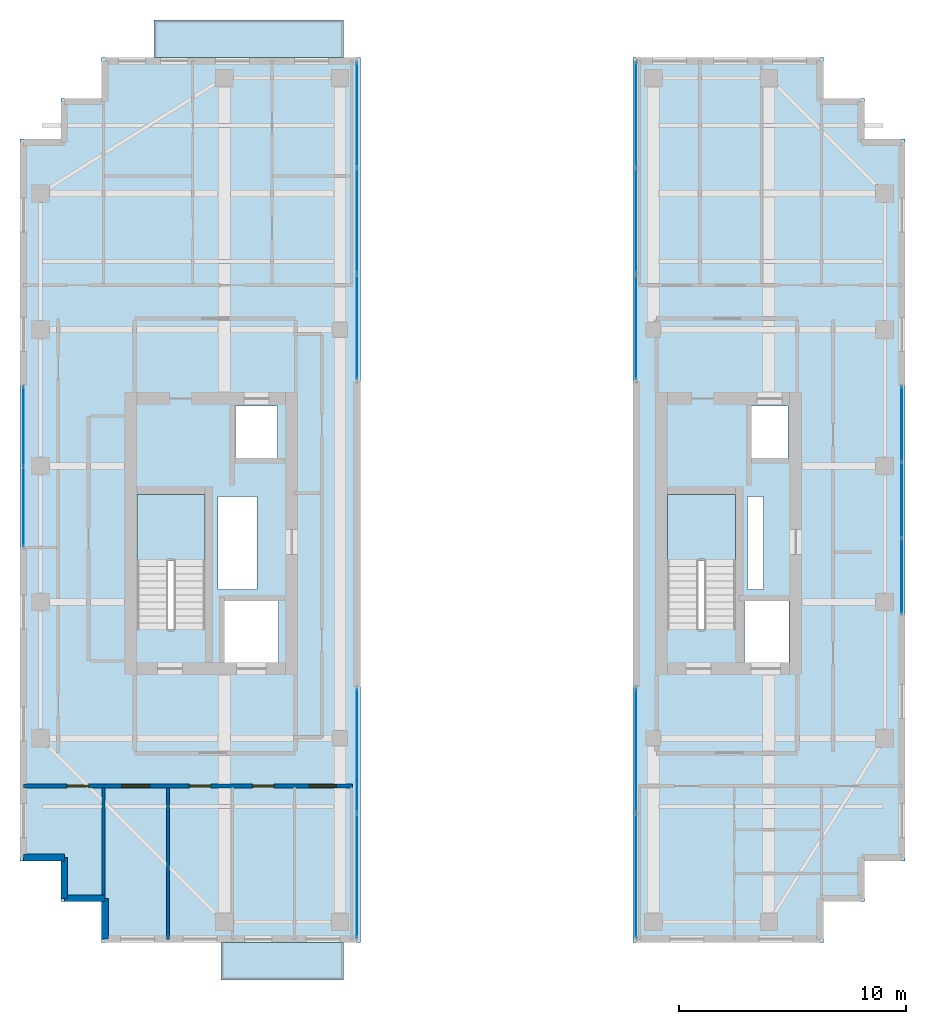
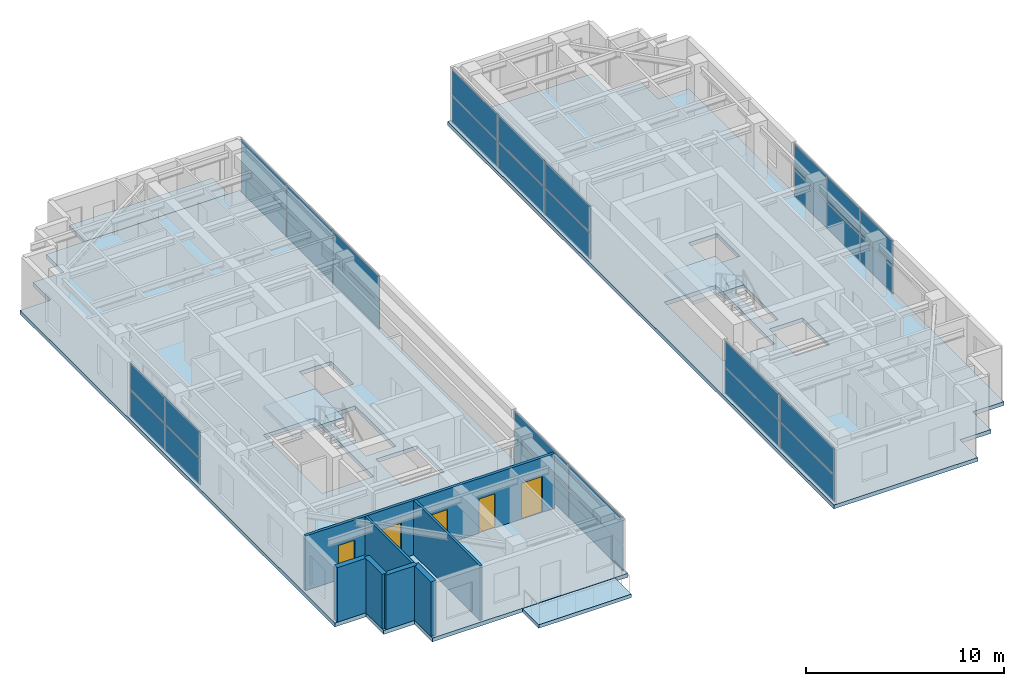
# One storey, part 16 of 22: 30 plates, 7 walls, 6 slabs, 5 doors, 5 openings, 8 elements without a shape of their own.
"""IFC4 building model written with IfcOpenShell, lengths in metres."""

import ifcopenshell
import ifcopenshell.guid

model = None  # the IFC model being written
_history = None  # IfcOwnerHistory: only IFC2X3 demands one
_inside = {}  # id of a spatial element -> (the spatial element, [elements in it])
_under = {}  # id of a project, library or spatial element -> (it, [spatial elements below it])
_declared = {}  # id of a project -> (the project, [libraries it declares])
_typed = {}  # id of a type object -> (the type object, [elements of that type])
_made_of = {}  # id of a material, layer set ... -> (it, [elements and type objects made of it])


def new_model(schema):
    """Start an empty IFC model of exactly this schema.

    Asked for "IFC4X3", IfcOpenShell would pick the latest addendum, in which some entities
    have other attributes; the version numbers below select the first issue.
    IFC2X3 requires an IfcOwnerHistory on every rooted entity: one is made here for all.
    """
    global model, _history
    if schema == "IFC4X3":
        model = ifcopenshell.file(schema_version=(4, 3, 0, 0))
    else:
        model = ifcopenshell.file(schema=schema)
    _inside.clear()
    _under.clear()
    _declared.clear()
    _typed.clear()
    _made_of.clear()
    _history = None
    if model.schema == "IFC2X3":
        org = make("IfcOrganization", Name="unknown")
        user = make(
            "IfcPersonAndOrganization",
            ThePerson=make("IfcPerson", FamilyName="unknown"),
            TheOrganization=org,
        )
        app = make(
            "IfcApplication",
            ApplicationDeveloper=org,
            Version="unknown",
            ApplicationFullName="unknown",
            ApplicationIdentifier="unknown",
        )
        _history = make(
            "IfcOwnerHistory",
            OwningUser=user,
            OwningApplication=app,
            ChangeAction="ADDED",
            CreationDate=0,
        )
    return model


def make(cls, **values):
    """One entity of the class cls with the attributes given. An attribute that is None is left unset."""
    return model.create_entity(
        cls, **{name: value for name, value in values.items() if value is not None}
    )


def rooted(cls, **values):
    """An entity with a GlobalId (a new one), such as an element, a storey or a relation."""
    return make(cls, GlobalId=ifcopenshell.guid.new(), OwnerHistory=_history, **values)


def si_unit(unit_type, name, prefix=None):
    """IfcSIUnit, for example si_unit("LENGTHUNIT", "METRE", prefix="MILLI")."""
    return make("IfcSIUnit", UnitType=unit_type, Prefix=prefix, Name=name)


def assignment(units):
    """IfcUnitAssignment: the units of a project."""
    return None if units is None else make("IfcUnitAssignment", Units=units)


def point(xyz):
    """IfcCartesianPoint."""
    return None if xyz is None else make("IfcCartesianPoint", Coordinates=xyz)


def direction(xyz):
    """IfcDirection."""
    return None if xyz is None else make("IfcDirection", DirectionRatios=xyz)


def frame(location, z_axis=None, x_axis=None):
    """IfcAxis2Placement3D, a coordinate frame: its origin and axes. An axis left out is left unset."""
    return make(
        "IfcAxis2Placement3D",
        Location=point(location),
        Axis=direction(z_axis),
        RefDirection=direction(x_axis),
    )


def frame_2d(location, x_axis=None):
    """IfcAxis2Placement2D, a coordinate frame in the plane: its origin and x axis."""
    return make(
        "IfcAxis2Placement2D", Location=point(location), RefDirection=direction(x_axis)
    )


def origin():
    """The frame at (0, 0, 0) with its axes left unset."""
    return frame((0.0, 0.0, 0.0))


def origin_2d():
    """The frame at (0, 0) in the plane with its x axis left unset."""
    return frame_2d((0.0, 0.0))


def place(relative_to, where):
    """IfcLocalPlacement: puts the frame where relative to a parent placement (None: the world)."""
    return make(
        "IfcLocalPlacement", PlacementRelTo=relative_to, RelativePlacement=where
    )


def context(
    kind, dimensions, precision=None, world=None, true_north=None, identifier=None
):
    """IfcGeometricRepresentationContext, for example the 3D "Model" context."""
    return make(
        "IfcGeometricRepresentationContext",
        ContextIdentifier=identifier,
        ContextType=kind,
        CoordinateSpaceDimension=dimensions,
        Precision=precision,
        WorldCoordinateSystem=world,
        TrueNorth=true_north,
    )


def subcontext(parent, identifier, kind, view, scale=None):
    """IfcGeometricRepresentationSubContext, for example "Body" below "Model"."""
    return make(
        "IfcGeometricRepresentationSubContext",
        ContextIdentifier=identifier,
        ContextType=kind,
        ParentContext=parent,
        TargetScale=scale,
        TargetView=view,
    )


def project(units=None, contexts=None):
    """IfcProject with its units and contexts."""
    return rooted(
        "IfcProject",
        Name="project",
        RepresentationContexts=contexts,
        UnitsInContext=assignment(units),
    )


def spatial(cls, under=None, at=None, **own):
    """A site, building, storey or space (cls), placed at a placement, below another one or the project."""
    s = rooted(cls, ObjectPlacement=at, **own)
    if under is not None:
        _under.setdefault(under.id(), (under, []))[1].append(s)
    return s


def polyline(points):
    """IfcPolyline through the points."""
    return make("IfcPolyline", Points=[point(p) for p in points])


def profile(cls, at=None, kind="AREA", **sizes):
    """A parametric profile (cls). Its sizes go by their IFC names, for example OverallWidth=200.0."""
    return make(cls, ProfileType=kind, Position=at, **sizes)


def rectangle(**sizes):
    """IfcRectangleProfileDef."""
    return profile("IfcRectangleProfileDef", **sizes)


def outline(outer, holes=None, kind="AREA"):
    """IfcArbitraryClosedProfileDef: a profile drawn as a closed curve; with holes, ...WithVoids."""
    if holes is None:
        return make("IfcArbitraryClosedProfileDef", ProfileType=kind, OuterCurve=outer)
    return make(
        "IfcArbitraryProfileDefWithVoids",
        ProfileType=kind,
        OuterCurve=outer,
        InnerCurves=holes,
    )


def extrude(swept, where, along, depth):
    """IfcExtrudedAreaSolid: the profile swept, set in the frame where, extruded along a direction by depth."""
    return make(
        "IfcExtrudedAreaSolid",
        SweptArea=swept,
        Position=where,
        ExtrudedDirection=direction(along),
        Depth=depth,
    )


def shape(context_of_items, identifier, shape_type, items):
    """IfcShapeRepresentation: the items that make up one representation, for example the "Body"."""
    return make(
        "IfcShapeRepresentation",
        ContextOfItems=context_of_items,
        RepresentationIdentifier=identifier,
        RepresentationType=shape_type,
        Items=items,
    )


def source(mapping_origin, context_of_items, identifier, shape_type, items):
    """IfcRepresentationMap: a shape defined once, which mapped items show again and again."""
    return make(
        "IfcRepresentationMap",
        MappingOrigin=mapping_origin,
        MappedRepresentation=shape(context_of_items, identifier, shape_type, items),
    )


def transform(
    local_origin,
    x_axis=None,
    y_axis=None,
    z_axis=None,
    scale=None,
    scale2=None,
    scale3=None,
    uniform=True,
):
    """IfcCartesianTransformationOperator3D, or its non-uniform kind. x_axis, y_axis, z_axis: its Axis1, 2, 3."""
    if uniform:
        return make(
            "IfcCartesianTransformationOperator3D",
            Axis1=direction(x_axis),
            Axis2=direction(y_axis),
            LocalOrigin=point(local_origin),
            Scale=scale,
            Axis3=direction(z_axis),
        )
    return make(
        "IfcCartesianTransformationOperator3DnonUniform",
        Axis1=direction(x_axis),
        Axis2=direction(y_axis),
        LocalOrigin=point(local_origin),
        Scale=scale,
        Axis3=direction(z_axis),
        Scale2=scale2,
        Scale3=scale3,
    )


def mapped(mapping_source, mapping_target):
    """IfcMappedItem: shows the shape of a source again, moved by a transform."""
    return make(
        "IfcMappedItem", MappingSource=mapping_source, MappingTarget=mapping_target
    )


def material(Name=None, Category=None):
    """IfcMaterial."""
    return make("IfcMaterial", Name=Name, Category=Category)


def layer(
    of_material, thickness, ventilated=None, Name=None, Category=None, Priority=None
):
    """IfcMaterialLayer: one layer of a wall or slab, of a material (None: an air gap)."""
    return make(
        "IfcMaterialLayer",
        Material=of_material,
        LayerThickness=thickness,
        IsVentilated=ventilated,
        Name=Name,
        Category=Category,
        Priority=Priority,
    )


def layer_set(layers, Name=None):
    """IfcMaterialLayerSet."""
    return make("IfcMaterialLayerSet", MaterialLayers=layers, LayerSetName=Name)


def made_of(thing, what):
    """Note that an element or type object is made of a material, layer set ...; save() writes the relation."""
    if what is not None:
        _made_of.setdefault(what.id(), (what, []))[1].append(thing)
    return thing


def type_object(cls, material=None, **own):
    """A type object (cls), such as IfcWallType, which elements share."""
    return made_of(rooted(cls, **own), material)


def element(
    cls,
    number,
    at=None,
    inside=None,
    cuts=None,
    type_object=None,
    material=None,
    context=None,
    identifier="Body",
    shape_type=None,
    held_by="IfcProductDefinitionShape",
    body=None,
    shapes=None,
    **own,
):
    """One element of the class cls, such as IfcWall. Its Tag is "e" and its number.

    at: its placement. inside: the storey or other place that contains it. cuts: it is an
    opening in that element (IfcRelVoidsElement). A single representation is given by context,
    identifier, shape_type and body (its items); several are given by shapes. held_by: the class
    of the entity that holds the representations. save() writes the other relations.
    """
    e = rooted(cls, Tag="e%d" % number, ObjectPlacement=at, **own)
    if body is not None:
        shapes = [shape(context, identifier, shape_type, body)]
    if shapes is not None:
        e.Representation = make(held_by, Representations=shapes)
    if inside is not None:
        _inside.setdefault(inside.id(), (inside, []))[1].append(e)
    if cuts is not None:
        rooted(
            "IfcRelVoidsElement", RelatingBuildingElement=cuts, RelatedOpeningElement=e
        )
    if type_object is not None:
        _typed.setdefault(type_object.id(), (type_object, []))[1].append(e)
    return made_of(e, material)


def fill(opening, filler):
    """IfcRelFillsElement: the door or window that sits in an opening."""
    return rooted(
        "IfcRelFillsElement",
        RelatingOpeningElement=opening,
        RelatedBuildingElement=filler,
    )


def aggregate(whole, parts):
    """IfcRelAggregates: a whole, such as a stair, and the parts it consists of."""
    return rooted("IfcRelAggregates", RelatingObject=whole, RelatedObjects=parts)


def save(model, path):
    """Write the relations noted so far, then the file.

    IfcRelAggregates (storeys below a building ...), IfcRelContainedInSpatialStructure (elements
    in a storey), IfcRelDefinesByType, IfcRelAssociatesMaterial and IfcRelDeclares: one each for
    every whole, place, type object, material and project.
    """
    for whole, parts in _under.values():
        aggregate(whole, parts)
    for where, things in _inside.values():
        rooted(
            "IfcRelContainedInSpatialStructure",
            RelatedElements=things,
            RelatingStructure=where,
        )
    for kind, things in _typed.values():
        rooted("IfcRelDefinesByType", RelatedObjects=things, RelatingType=kind)
    for what, things in _made_of.values():
        rooted("IfcRelAssociatesMaterial", RelatedObjects=things, RelatingMaterial=what)
    for by, libraries in _declared.values():
        rooted("IfcRelDeclares", RelatingContext=by, RelatedDefinitions=libraries)
    model.write(path)


model = new_model("IFC4")

# Units and contexts
model_context = context("Model", 3, precision=1e-05, world=origin(), true_north=direction((0.0, 1.0)))
body_context = subcontext(model_context, "Body", "Model", "MODEL_VIEW")
ifc_project = project(units=[si_unit("LENGTHUNIT", "METRE"), si_unit("AREAUNIT", "SQUARE_METRE"), si_unit("VOLUMEUNIT", "CUBIC_METRE"), si_unit("PLANEANGLEUNIT", "RADIAN"), si_unit("MASSUNIT", "GRAM", prefix="KILO")], contexts=[model_context])

# Site, building, storey
site_placement = place(None, origin())
site = spatial("IfcSite", under=ifc_project, at=site_placement, CompositionType="ELEMENT")
building_placement = place(site_placement, origin())
building = spatial("IfcBuilding", under=site, at=building_placement, Name="Khoralis Quay Care Tower", CompositionType="ELEMENT")
storey_placement = place(building_placement, frame((0.0, 0.0, 260.10009765625)))
storey = spatial("IfcBuildingStorey", under=building, at=storey_placement, Name="L68", CompositionType="ELEMENT", Elevation=260.10009765625)

# Slabs
ifc_material_1 = material(Name="Concrete C45/55", Category="concrete")
ifc_layer_1 = layer(ifc_material_1, 0.219970703125)
ifc_layer_set_1 = layer_set([ifc_layer_1], Name="Concrete C45/55")
slab_type_1 = type_object("IfcSlabType", Name="SLB-EXT-BALC-220", PredefinedType="FLOOR", material=ifc_layer_set_1)
slab_1_placement = place(storey_placement, frame((0.0, 0.0, -0.239990234375)))
element("IfcSlab", 1, at=slab_1_placement, inside=storey, type_object=slab_type_1, Name="L68 Senior Loggia Balcony Slab P1E0", PredefinedType="FLOOR", context=body_context, shape_type="SweptSolid", body=[
    extrude(outline(polyline([(11.85009765625, 1.35009765625), (17.25, 1.35009765625), (17.25, 3.0), (11.85009765625, 3.0), (11.85009765625, 1.35009765625)])), origin(), (0.0, 0.0, 1.0), 0.219970703125),
])
slab_2_placement = place(storey_placement, frame((0.0, 0.0, -0.239990234375)))
element("IfcSlab", 2, at=slab_2_placement, inside=storey, type_object=slab_type_1, Name="L68 Senior Loggia Balcony Slab P1E2", PredefinedType="FLOOR", context=body_context, shape_type="SweptSolid", body=[
    extrude(outline(polyline([(8.89990234375, 42.0), (17.25, 42.0), (17.25, 43.64990234375), (8.89990234375, 43.64990234375), (8.89990234375, 42.0)])), origin(), (0.0, 0.0, 1.0), 0.219970703125),
])

# Stair, slab
ifc_material_2 = material(Name="Precast concrete C45/55", Category="concrete")
stair_type = type_object("IfcStairType", Name="ST-TWR-DOGLEG-1400", PredefinedType="HALF_TURN_STAIR", material=ifc_material_2)
stair_1_placement = place(storey_placement, origin())
stair_1 = element("IfcStair", 3, at=stair_1_placement, inside=storey, type_object=stair_type, Name="L68 West Core Exit Stair ST-T1", PredefinedType="HALF_TURN_STAIR")
ifc_layer_2 = layer(ifc_material_2, 0.199951171875)
ifc_layer_set_2 = layer_set([ifc_layer_2], Name="Precast concrete C45/55")
slab_type_2 = type_object("IfcSlabType", Name="SLB-LANDING-200", PredefinedType="LANDING", material=ifc_layer_set_2)
slab_3_placement = place(storey_placement, frame((0.0, 0.0, 1.599853515625)))
slab_3 = element("IfcSlab", 4, at=slab_3_placement, type_object=slab_type_2, Name="ST-T1 landing 1", PredefinedType="LANDING", context=body_context, shape_type="SweptSolid", body=[
    extrude(outline(polyline([(11.14990234375, 19.840087890625), (11.14990234375, 22.75), (8.14990234375, 22.75), (8.14990234375, 19.840087890625), (11.14990234375, 19.840087890625)])), origin(), (0.0, 0.0, 1.0), 0.199951171875),
])
aggregate(stair_1, [slab_3])

stair_2_placement = place(storey_placement, origin())
stair_2 = element("IfcStair", 5, at=stair_2_placement, inside=storey, type_object=stair_type, Name="L68 East Core Exit Stair ST-T2", PredefinedType="HALF_TURN_STAIR")
slab_4_placement = place(storey_placement, frame((0.0, 0.0, 1.599853515625)))
slab_4 = element("IfcSlab", 6, at=slab_4_placement, type_object=slab_type_2, Name="ST-T2 landing 1", PredefinedType="LANDING", context=body_context, shape_type="SweptSolid", body=[
    extrude(outline(polyline([(34.52001953125, 19.840087890625), (34.52001953125, 22.75), (31.52001953125, 22.75), (31.52001953125, 19.840087890625), (34.52001953125, 19.840087890625)])), origin(), (0.0, 0.0, 1.0), 0.199951171875),
])
aggregate(stair_2, [slab_4])

# Slabs
ifc_material_3 = material(Name="Concrete C40/50", Category="concrete")
ifc_layer_3 = layer(ifc_material_3, 0.239990234375)
ifc_layer_set_3 = layer_set([ifc_layer_3], Name="Concrete C40/50")
slab_type_3 = type_object("IfcSlabType", Name="SLB-TWR-240", PredefinedType="FLOOR", material=ifc_layer_set_3)
slab_5_placement = place(storey_placement, frame((0.0, 0.0, -0.239990234375)))
element("IfcSlab", 7, at=slab_5_placement, inside=storey, type_object=slab_type_3, Name="Tower Wing 1 Slab L68", PredefinedType="FLOOR", context=body_context, shape_type="SweptSolid", body=[
    extrude(outline(polyline([(6.60009765625, 3.0), (18.0, 3.0), (18.0, 42.0), (6.60009765625, 42.0), (6.60009765625, 40.199951171875), (4.800048828125, 40.199951171875), (4.800048828125, 38.39990234375), (3.0, 38.39990234375), (3.0, 6.60009765625), (4.800048828125, 6.60009765625), (4.800048828125, 4.800048828125), (6.60009765625, 4.800048828125), (6.60009765625, 3.0)]), holes=[polyline([(11.14990234375, 16.800048828125), (11.14990234375, 22.75), (8.14990234375, 22.75), (8.14990234375, 16.800048828125), (11.14990234375, 16.800048828125)]), polyline([(12.0, 15.35009765625), (14.39990234375, 15.35009765625), (14.39990234375, 18.050048828125), (12.0, 18.050048828125), (12.0, 15.35009765625)]), polyline([(12.5, 24.35009765625), (14.35009765625, 24.35009765625), (14.35009765625, 26.64990234375), (12.5, 26.64990234375), (12.5, 24.35009765625)]), polyline([(11.719970703125, 18.550048828125), (13.449951171875, 18.550048828125), (13.449951171875, 22.64990234375), (11.719970703125, 22.64990234375), (11.719970703125, 18.550048828125)])]), origin(), (0.0, 0.0, 1.0), 0.239990234375),
])
slab_6_placement = place(storey_placement, frame((0.0, 0.0, -0.239990234375)))
element("IfcSlab", 8, at=slab_6_placement, inside=storey, type_object=slab_type_3, Name="Tower Wing 2 Slab L68", PredefinedType="FLOOR", context=body_context, shape_type="SweptSolid", body=[
    extrude(outline(polyline([(30.0, 3.0), (38.39990234375, 3.0), (38.39990234375, 4.800048828125), (40.199951171875, 4.800048828125), (40.199951171875, 6.60009765625), (42.0, 6.60009765625), (42.0, 38.39990234375), (40.199951171875, 38.39990234375), (40.199951171875, 40.199951171875), (38.39990234375, 40.199951171875), (38.39990234375, 42.0), (30.0, 42.0), (30.0, 3.0)]), holes=[polyline([(34.52001953125, 16.800048828125), (34.52001953125, 22.75), (31.52001953125, 22.75), (31.52001953125, 16.800048828125), (34.52001953125, 16.800048828125)]), polyline([(34.919921875, 15.35009765625), (36.8798828125, 15.35009765625), (36.8798828125, 18.050048828125), (34.919921875, 18.050048828125), (34.919921875, 15.35009765625)]), polyline([(35.199951171875, 24.35009765625), (36.85009765625, 24.35009765625), (36.85009765625, 26.64990234375), (35.199951171875, 26.64990234375), (35.199951171875, 24.35009765625)]), polyline([(35.050048828125, 18.550048828125), (35.75, 18.550048828125), (35.75, 22.64990234375), (35.050048828125, 22.64990234375), (35.050048828125, 18.550048828125)])]), origin(), (0.0, 0.0, 1.0), 0.239990234375),
])

# Curtain wall, plates
ifc_material_4 = material(Name="Pale anodised aluminium", Category="aluminium")
ifc_layer_4 = layer(ifc_material_4, 0.18994140625)
ifc_layer_set_4 = layer_set([ifc_layer_4], Name="Pale anodised aluminium")
curtain_wall_type_1 = type_object("IfcCurtainWallType", Name="CW-SYS-PORTAL", PredefinedType="NOTDEFINED", material=ifc_layer_set_4)
curtain_wall_1_placement = place(storey_placement, origin())
curtain_wall_1 = element("IfcCurtainWall", 9, at=curtain_wall_1_placement, inside=storey, type_object=curtain_wall_type_1, Name="L68 Unitised Curtain Wall CW-VP-L68-P1-S", PredefinedType="NOTDEFINED")
ifc_material_5 = material(Name="Low-E solar-control double glazing", Category="glass")
ifc_layer_5 = layer(ifc_material_5, 0.031982421875)
ifc_layer_set_5 = layer_set([ifc_layer_5], Name="Low-E solar-control double glazing")
plate_type = type_object("IfcPlateType", Name="PNL-VIS-32", PredefinedType="CURTAIN_PANEL", material=ifc_layer_set_5)
shared_shape_1 = source(origin(), body_context, "Body", "SweptSolid", [
    extrude(rectangle(XDim=5.4599609375, YDim=0.028076171875, at=origin_2d()), origin(), (0.0, 0.0, 1.0), 1.590087890625),
])
plate_1_placement = place(storey_placement, frame((17.85009765625, 5.93994140625, 0.06005859375), z_axis=(0.0, 0.0, 1.0), x_axis=(0.0, 1.0, 0.0)))
plate_1 = element("IfcPlate", 10, at=plate_1_placement, type_object=plate_type, Name="CW4 panel 1.1", PredefinedType="CURTAIN_PANEL", context=body_context, shape_type="MappedRepresentation", body=[
    mapped(shared_shape_1, transform((0.0, 0.0, 0.0), scale=1.0)),
])
plate_2_placement = place(storey_placement, frame((17.85009765625, 5.93994140625, 1.7099609375), z_axis=(0.0, 0.0, 1.0), x_axis=(0.0, 1.0, 0.0)))
plate_2 = element("IfcPlate", 11, at=plate_2_placement, type_object=plate_type, Name="CW4 panel 1.2", PredefinedType="CURTAIN_PANEL", context=body_context, shape_type="MappedRepresentation", body=[
    mapped(shared_shape_1, transform((0.0, 0.0, 0.0), scale=1.0)),
])
plate_3_placement = place(storey_placement, frame((17.85009765625, 11.4599609375, 0.06005859375), z_axis=(0.0, 0.0, 1.0), x_axis=(0.0, 1.0, 0.0)))
plate_3 = element("IfcPlate", 12, at=plate_3_placement, type_object=plate_type, Name="CW4 panel 2.1", PredefinedType="CURTAIN_PANEL", context=body_context, shape_type="MappedRepresentation", body=[
    mapped(shared_shape_1, transform((0.0, 0.0, 0.0), scale=1.0)),
])
plate_4_placement = place(storey_placement, frame((17.85009765625, 11.4599609375, 1.7099609375), z_axis=(0.0, 0.0, 1.0), x_axis=(0.0, 1.0, 0.0)))
plate_4 = element("IfcPlate", 13, at=plate_4_placement, type_object=plate_type, Name="CW4 panel 2.2", PredefinedType="CURTAIN_PANEL", context=body_context, shape_type="MappedRepresentation", body=[
    mapped(shared_shape_1, transform((0.0, 0.0, 0.0), scale=1.0)),
])
aggregate(curtain_wall_1, [plate_1, plate_2, plate_3, plate_4])

curtain_wall_2_placement = place(storey_placement, origin())
curtain_wall_2 = element("IfcCurtainWall", 14, at=curtain_wall_2_placement, inside=storey, type_object=curtain_wall_type_1, Name="L68 Unitised Curtain Wall CW-VP-L68-P2-S", PredefinedType="NOTDEFINED")
plate_5_placement = place(storey_placement, frame((30.14990234375, 5.93994140625, 0.06005859375), z_axis=(0.0, 0.0, 1.0), x_axis=(0.0, 1.0, 0.0)))
plate_5 = element("IfcPlate", 15, at=plate_5_placement, type_object=plate_type, Name="CW4 panel 1.1", PredefinedType="CURTAIN_PANEL", context=body_context, shape_type="MappedRepresentation", body=[
    mapped(shared_shape_1, transform((0.0, 0.0, 0.0), scale=1.0)),
])
plate_6_placement = place(storey_placement, frame((30.14990234375, 5.93994140625, 1.7099609375), z_axis=(0.0, 0.0, 1.0), x_axis=(0.0, 1.0, 0.0)))
plate_6 = element("IfcPlate", 16, at=plate_6_placement, type_object=plate_type, Name="CW4 panel 1.2", PredefinedType="CURTAIN_PANEL", context=body_context, shape_type="MappedRepresentation", body=[
    mapped(shared_shape_1, transform((0.0, 0.0, 0.0), scale=1.0)),
])
plate_7_placement = place(storey_placement, frame((30.14990234375, 11.4599609375, 0.06005859375), z_axis=(0.0, 0.0, 1.0), x_axis=(0.0, 1.0, 0.0)))
plate_7 = element("IfcPlate", 17, at=plate_7_placement, type_object=plate_type, Name="CW4 panel 2.1", PredefinedType="CURTAIN_PANEL", context=body_context, shape_type="MappedRepresentation", body=[
    mapped(shared_shape_1, transform((0.0, 0.0, 0.0), scale=1.0)),
])
plate_8_placement = place(storey_placement, frame((30.14990234375, 11.4599609375, 1.7099609375), z_axis=(0.0, 0.0, 1.0), x_axis=(0.0, 1.0, 0.0)))
plate_8 = element("IfcPlate", 18, at=plate_8_placement, type_object=plate_type, Name="CW4 panel 2.2", PredefinedType="CURTAIN_PANEL", context=body_context, shape_type="MappedRepresentation", body=[
    mapped(shared_shape_1, transform((0.0, 0.0, 0.0), scale=1.0)),
])
aggregate(curtain_wall_2, [plate_5, plate_6, plate_7, plate_8])

curtain_wall_3_placement = place(storey_placement, origin())
curtain_wall_3 = element("IfcCurtainWall", 19, at=curtain_wall_3_placement, inside=storey, type_object=curtain_wall_type_1, Name="L68 Unitised Curtain Wall CW-VP-L68-P1-N", PredefinedType="NOTDEFINED")
shared_shape_2 = source(origin(), body_context, "Body", "SweptSolid", [
    extrude(rectangle(XDim=4.610107421875, YDim=0.028076171875, at=origin_2d()), origin(), (0.0, 0.0, 1.0), 1.590087890625),
])
plate_9_placement = place(storey_placement, frame((17.85009765625, 30.114990234375, 0.06005859375), z_axis=(0.0, 0.0, 1.0), x_axis=(0.0, 1.0, 0.0)))
plate_9 = element("IfcPlate", 20, at=plate_9_placement, type_object=plate_type, Name="CW4 panel 1.1", PredefinedType="CURTAIN_PANEL", context=body_context, shape_type="MappedRepresentation", body=[
    mapped(shared_shape_2, transform((0.0, 0.0, 0.0), scale=1.0)),
])
plate_10_placement = place(storey_placement, frame((17.85009765625, 30.114990234375, 1.7099609375), z_axis=(0.0, 0.0, 1.0), x_axis=(0.0, 1.0, 0.0)))
plate_10 = element("IfcPlate", 21, at=plate_10_placement, type_object=plate_type, Name="CW4 panel 1.2", PredefinedType="CURTAIN_PANEL", context=body_context, shape_type="MappedRepresentation", body=[
    mapped(shared_shape_2, transform((0.0, 0.0, 0.0), scale=1.0)),
])
plate_11_placement = place(storey_placement, frame((17.85009765625, 39.485107421875, 0.06005859375), z_axis=(0.0, 0.0, 1.0), x_axis=(0.0, 1.0, 0.0)))
plate_11 = element("IfcPlate", 22, at=plate_11_placement, type_object=plate_type, Name="CW4 panel 3.1", PredefinedType="CURTAIN_PANEL", context=body_context, shape_type="MappedRepresentation", body=[
    mapped(shared_shape_2, transform((0.0, 0.0, 0.0), scale=1.0)),
])
plate_12_placement = place(storey_placement, frame((17.85009765625, 39.485107421875, 1.7099609375), z_axis=(0.0, 0.0, 1.0), x_axis=(0.0, 1.0, 0.0)))
plate_12 = element("IfcPlate", 23, at=plate_12_placement, type_object=plate_type, Name="CW4 panel 3.2", PredefinedType="CURTAIN_PANEL", context=body_context, shape_type="MappedRepresentation", body=[
    mapped(shared_shape_2, transform((0.0, 0.0, 0.0), scale=1.0)),
])

curtain_wall_4_placement = place(storey_placement, origin())
curtain_wall_4 = element("IfcCurtainWall", 24, at=curtain_wall_4_placement, inside=storey, type_object=curtain_wall_type_1, Name="L68 Unitised Curtain Wall CW-VP-L68-P2-N", PredefinedType="NOTDEFINED")
plate_13_placement = place(storey_placement, frame((30.14990234375, 30.114990234375, 0.06005859375), z_axis=(0.0, 0.0, 1.0), x_axis=(0.0, 1.0, 0.0)))
plate_13 = element("IfcPlate", 25, at=plate_13_placement, type_object=plate_type, Name="CW4 panel 1.1", PredefinedType="CURTAIN_PANEL", context=body_context, shape_type="MappedRepresentation", body=[
    mapped(shared_shape_2, transform((0.0, 0.0, 0.0), scale=1.0)),
])
plate_14_placement = place(storey_placement, frame((30.14990234375, 30.114990234375, 1.7099609375), z_axis=(0.0, 0.0, 1.0), x_axis=(0.0, 1.0, 0.0)))
plate_14 = element("IfcPlate", 26, at=plate_14_placement, type_object=plate_type, Name="CW4 panel 1.2", PredefinedType="CURTAIN_PANEL", context=body_context, shape_type="MappedRepresentation", body=[
    mapped(shared_shape_2, transform((0.0, 0.0, 0.0), scale=1.0)),
])
plate_15_placement = place(storey_placement, frame((30.14990234375, 39.485107421875, 0.06005859375), z_axis=(0.0, 0.0, 1.0), x_axis=(0.0, 1.0, 0.0)))
plate_15 = element("IfcPlate", 27, at=plate_15_placement, type_object=plate_type, Name="CW4 panel 3.1", PredefinedType="CURTAIN_PANEL", context=body_context, shape_type="MappedRepresentation", body=[
    mapped(shared_shape_2, transform((0.0, 0.0, 0.0), scale=1.0)),
])
plate_16_placement = place(storey_placement, frame((30.14990234375, 39.485107421875, 1.7099609375), z_axis=(0.0, 0.0, 1.0), x_axis=(0.0, 1.0, 0.0)))
plate_16 = element("IfcPlate", 28, at=plate_16_placement, type_object=plate_type, Name="CW4 panel 3.2", PredefinedType="CURTAIN_PANEL", context=body_context, shape_type="MappedRepresentation", body=[
    mapped(shared_shape_2, transform((0.0, 0.0, 0.0), scale=1.0)),
])

# Plate
shared_shape_3 = source(origin(), body_context, "Body", "SweptSolid", [
    extrude(rectangle(XDim=4.639892578125, YDim=0.028076171875, at=origin_2d()), origin(), (0.0, 0.0, 1.0), 1.590087890625),
])
plate_17_placement = place(storey_placement, frame((17.85009765625, 34.800048828125, 0.06005859375), z_axis=(0.0, 0.0, 1.0), x_axis=(0.0, 1.0, 0.0)))
plate_17 = element("IfcPlate", 29, at=plate_17_placement, type_object=plate_type, Name="CW4 panel 2.1", PredefinedType="CURTAIN_PANEL", context=body_context, shape_type="MappedRepresentation", body=[
    mapped(shared_shape_3, transform((0.0, 0.0, 0.0), scale=1.0)),
])

plate_18_placement = place(storey_placement, frame((17.85009765625, 34.800048828125, 1.7099609375), z_axis=(0.0, 0.0, 1.0), x_axis=(0.0, 1.0, 0.0)))
plate_18 = element("IfcPlate", 30, at=plate_18_placement, type_object=plate_type, Name="CW4 panel 2.2", PredefinedType="CURTAIN_PANEL", context=body_context, shape_type="MappedRepresentation", body=[
    mapped(shared_shape_3, transform((0.0, 0.0, 0.0), scale=1.0)),
])

aggregate(curtain_wall_3, [plate_9, plate_10, plate_17, plate_18, plate_11, plate_12])

plate_19_placement = place(storey_placement, frame((30.14990234375, 34.800048828125, 0.06005859375), z_axis=(0.0, 0.0, 1.0), x_axis=(0.0, 1.0, 0.0)))
plate_19 = element("IfcPlate", 31, at=plate_19_placement, type_object=plate_type, Name="CW4 panel 2.1", PredefinedType="CURTAIN_PANEL", context=body_context, shape_type="MappedRepresentation", body=[
    mapped(shared_shape_3, transform((0.0, 0.0, 0.0), scale=1.0)),
])

plate_20_placement = place(storey_placement, frame((30.14990234375, 34.800048828125, 1.7099609375), z_axis=(0.0, 0.0, 1.0), x_axis=(0.0, 1.0, 0.0)))
plate_20 = element("IfcPlate", 32, at=plate_20_placement, type_object=plate_type, Name="CW4 panel 2.2", PredefinedType="CURTAIN_PANEL", context=body_context, shape_type="MappedRepresentation", body=[
    mapped(shared_shape_3, transform((0.0, 0.0, 0.0), scale=1.0)),
])

aggregate(curtain_wall_4, [plate_13, plate_14, plate_19, plate_20, plate_15, plate_16])

# Curtain wall, plates
ifc_layer_6 = layer(ifc_material_4, 0.159912109375)
ifc_layer_set_6 = layer_set([ifc_layer_6], Name="Pale anodised aluminium")
curtain_wall_type_2 = type_object("IfcCurtainWallType", Name="CW-SYS-Z3", PredefinedType="NOTDEFINED", material=ifc_layer_set_6)
curtain_wall_5_placement = place(storey_placement, origin())
curtain_wall_5 = element("IfcCurtainWall", 33, at=curtain_wall_5_placement, inside=storey, type_object=curtain_wall_type_2, Name="L68 Unitised Curtain Wall CW-L68-P2-E5", PredefinedType="NOTDEFINED")
shared_shape_4 = source(origin(), body_context, "Body", "SweptSolid", [
    extrude(rectangle(XDim=3.27001953125, YDim=0.028076171875, at=origin_2d()), origin(), (0.0, 0.0, 1.0), 1.590087890625),
])
plate_21_placement = place(storey_placement, frame((41.85009765625, 19.155029296875, 0.06005859375), z_axis=(0.0, 0.0, 1.0), x_axis=(0.0, 1.0, 0.0)))
plate_21 = element("IfcPlate", 34, at=plate_21_placement, type_object=plate_type, Name="CW3 panel 1.1", PredefinedType="CURTAIN_PANEL", context=body_context, shape_type="MappedRepresentation", body=[
    mapped(shared_shape_4, transform((0.0, 0.0, 0.0), scale=1.0)),
])
plate_22_placement = place(storey_placement, frame((41.85009765625, 19.155029296875, 1.7099609375), z_axis=(0.0, 0.0, 1.0), x_axis=(0.0, 1.0, 0.0)))
plate_22 = element("IfcPlate", 35, at=plate_22_placement, type_object=plate_type, Name="CW3 panel 1.2", PredefinedType="CURTAIN_PANEL", context=body_context, shape_type="MappedRepresentation", body=[
    mapped(shared_shape_4, transform((0.0, 0.0, 0.0), scale=1.0)),
])
plate_23_placement = place(storey_placement, frame((41.85009765625, 25.844970703125, 0.06005859375), z_axis=(0.0, 0.0, 1.0), x_axis=(0.0, 1.0, 0.0)))
plate_23 = element("IfcPlate", 36, at=plate_23_placement, type_object=plate_type, Name="CW3 panel 3.1", PredefinedType="CURTAIN_PANEL", context=body_context, shape_type="MappedRepresentation", body=[
    mapped(shared_shape_4, transform((0.0, 0.0, 0.0), scale=1.0)),
])
plate_24_placement = place(storey_placement, frame((41.85009765625, 25.844970703125, 1.7099609375), z_axis=(0.0, 0.0, 1.0), x_axis=(0.0, 1.0, 0.0)))
plate_24 = element("IfcPlate", 37, at=plate_24_placement, type_object=plate_type, Name="CW3 panel 3.2", PredefinedType="CURTAIN_PANEL", context=body_context, shape_type="MappedRepresentation", body=[
    mapped(shared_shape_4, transform((0.0, 0.0, 0.0), scale=1.0)),
])
shared_shape_5 = source(origin(), body_context, "Body", "SweptSolid", [
    extrude(rectangle(XDim=3.300048828125, YDim=0.028076171875, at=origin_2d()), origin(), (0.0, 0.0, 1.0), 1.590087890625),
])
plate_25_placement = place(storey_placement, frame((41.85009765625, 22.5, 0.06005859375), z_axis=(0.0, 0.0, 1.0), x_axis=(0.0, 1.0, 0.0)))
plate_25 = element("IfcPlate", 38, at=plate_25_placement, type_object=plate_type, Name="CW3 panel 2.1", PredefinedType="CURTAIN_PANEL", context=body_context, shape_type="MappedRepresentation", body=[
    mapped(shared_shape_5, transform((0.0, 0.0, 0.0), scale=1.0)),
])
plate_26_placement = place(storey_placement, frame((41.85009765625, 22.5, 1.7099609375), z_axis=(0.0, 0.0, 1.0), x_axis=(0.0, 1.0, 0.0)))
plate_26 = element("IfcPlate", 39, at=plate_26_placement, type_object=plate_type, Name="CW3 panel 2.2", PredefinedType="CURTAIN_PANEL", context=body_context, shape_type="MappedRepresentation", body=[
    mapped(shared_shape_5, transform((0.0, 0.0, 0.0), scale=1.0)),
])
aggregate(curtain_wall_5, [plate_21, plate_22, plate_25, plate_26, plate_23, plate_24])

curtain_wall_6_placement = place(storey_placement, origin())
curtain_wall_6 = element("IfcCurtainWall", 40, at=curtain_wall_6_placement, inside=storey, type_object=curtain_wall_type_2, Name="L68 Unitised Curtain Wall CW-L68-P1-E7", PredefinedType="NOTDEFINED")
shared_shape_6 = source(origin(), body_context, "Body", "SweptSolid", [
    extrude(rectangle(XDim=3.47998046875, YDim=0.028076171875, at=origin_2d()), origin(), (0.0, 0.0, 1.0), 1.590087890625),
])
plate_27_placement = place(storey_placement, frame((3.14990234375, 25.739990234375, 0.06005859375), z_axis=(0.0, 0.0, 1.0), x_axis=(0.0, -1.0, 0.0)))
plate_27 = element("IfcPlate", 41, at=plate_27_placement, type_object=plate_type, Name="CW3 panel 1.1", PredefinedType="CURTAIN_PANEL", context=body_context, shape_type="MappedRepresentation", body=[
    mapped(shared_shape_6, transform((0.0, 0.0, 0.0), scale=1.0)),
])
plate_28_placement = place(storey_placement, frame((3.14990234375, 25.739990234375, 1.7099609375), z_axis=(0.0, 0.0, 1.0), x_axis=(0.0, -1.0, 0.0)))
plate_28 = element("IfcPlate", 42, at=plate_28_placement, type_object=plate_type, Name="CW3 panel 1.2", PredefinedType="CURTAIN_PANEL", context=body_context, shape_type="MappedRepresentation", body=[
    mapped(shared_shape_6, transform((0.0, 0.0, 0.0), scale=1.0)),
])
plate_29_placement = place(storey_placement, frame((3.14990234375, 22.199951171875, 0.06005859375), z_axis=(0.0, 0.0, 1.0), x_axis=(0.0, -1.0, 0.0)))
plate_29 = element("IfcPlate", 43, at=plate_29_placement, type_object=plate_type, Name="CW3 panel 2.1", PredefinedType="CURTAIN_PANEL", context=body_context, shape_type="MappedRepresentation", body=[
    mapped(shared_shape_6, transform((0.0, 0.0, 0.0), scale=1.0)),
])
plate_30_placement = place(storey_placement, frame((3.14990234375, 22.199951171875, 1.7099609375), z_axis=(0.0, 0.0, 1.0), x_axis=(0.0, -1.0, 0.0)))
plate_30 = element("IfcPlate", 44, at=plate_30_placement, type_object=plate_type, Name="CW3 panel 2.2", PredefinedType="CURTAIN_PANEL", context=body_context, shape_type="MappedRepresentation", body=[
    mapped(shared_shape_6, transform((0.0, 0.0, 0.0), scale=1.0)),
])
aggregate(curtain_wall_6, [plate_27, plate_28, plate_29, plate_30])

# Wall, openings, doors
ifc_material_6 = material(Name="Gypsum plasterboard on acoustic metal stud")
ifc_layer_7 = layer(ifc_material_6, 0.1650390625)
ifc_layer_set_7 = layer_set([ifc_layer_7], Name="Gypsum plasterboard on acoustic metal stud")
wall_type_1 = type_object("IfcWallType", Name="WL-CORR-165", PredefinedType="PARTITIONING", material=ifc_layer_set_7)
wall_1_placement = place(storey_placement, frame((3.14501953125, 9.89990234375, 0.0), z_axis=(0.0, 0.0, 1.0), x_axis=(1.0, 0.0, 0.0)))
wall_1 = element("IfcWall", 45, at=wall_1_placement, inside=storey, type_object=wall_type_1, Name="L68 West Wing South Corridor Wall", PredefinedType="PARTITIONING", context=body_context, shape_type="SweptSolid", body=[
    extrude(rectangle(XDim=14.5048828125, YDim=0.1650390625, at=frame_2d((7.25244140625, 0.0))), origin(), (0.0, 0.0, 1.0), 3.35986328125),
])
opening_1_placement = place(wall_1_placement, frame((4.330078125, 0.0, 0.0)))
opening_1 = element("IfcOpeningElement", 46, at=opening_1_placement, cuts=wall_1, Name="Opening CD1", PredefinedType="OPENING", context=body_context, shape_type="SweptSolid", body=[
    extrude(rectangle(XDim=1.25, YDim=2.199951171875, at=frame_2d((0.625, 1.10009765625))), frame((0.0, 0.092529296875, 0.0), z_axis=(0.0, -1.0, 0.0), x_axis=(1.0, 0.0, 0.0)), (0.0, 0.0, 1.0), 0.18505859375),
])
opening_2_placement = place(wall_1_placement, frame((7.320068359375, 0.0, 0.0)))
opening_2 = element("IfcOpeningElement", 47, at=opening_2_placement, cuts=wall_1, Name="Opening ID1", PredefinedType="OPENING", context=body_context, shape_type="SweptSolid", body=[
    extrude(rectangle(XDim=0.949951171875, YDim=2.10009765625, at=frame_2d((0.47509765625, 1.050048828125))), frame((0.0, 0.092529296875, 0.0), z_axis=(0.0, -1.0, 0.0), x_axis=(1.0, 0.0, 0.0)), (0.0, 0.0, 1.0), 0.18505859375),
])
opening_3_placement = place(wall_1_placement, frame((10.10498046875, 0.0, 0.0)))
opening_3 = element("IfcOpeningElement", 48, at=opening_3_placement, cuts=wall_1, Name="Opening ID1", PredefinedType="OPENING", context=body_context, shape_type="SweptSolid", body=[
    extrude(rectangle(XDim=0.949951171875, YDim=2.10009765625, at=frame_2d((0.47509765625, 1.050048828125))), frame((0.0, 0.092529296875, 0.0), z_axis=(0.0, -1.0, 0.0), x_axis=(1.0, 0.0, 0.0)), (0.0, 0.0, 1.0), 0.18505859375),
])
opening_4_placement = place(wall_1_placement, frame((12.60009765625, 0.0, 0.0)))
opening_4 = element("IfcOpeningElement", 49, at=opening_4_placement, cuts=wall_1, Name="Opening FD1", PredefinedType="OPENING", context=body_context, shape_type="SweptSolid", body=[
    extrude(rectangle(XDim=1.199951171875, YDim=2.199951171875, at=frame_2d((0.60009765625, 1.10009765625))), frame((0.0, 0.092529296875, 0.0), z_axis=(0.0, -1.0, 0.0), x_axis=(1.0, 0.0, 0.0)), (0.0, 0.0, 1.0), 0.18505859375),
])
opening_5_placement = place(wall_1_placement, frame((1.919921875, 0.0, 0.0)))
opening_5 = element("IfcOpeningElement", 50, at=opening_5_placement, cuts=wall_1, Name="Opening ID1", PredefinedType="OPENING", context=body_context, shape_type="SweptSolid", body=[
    extrude(rectangle(XDim=0.949951171875, YDim=2.10009765625, at=frame_2d((0.47509765625, 1.050048828125))), frame((0.0, 0.092529296875, 0.0), z_axis=(0.0, -1.0, 0.0), x_axis=(1.0, 0.0, 0.0)), (0.0, 0.0, 1.0), 0.18505859375),
])
ifc_material_7 = material(Name="Fire-rated painted steel", Category="steel")
door_type_1 = type_object("IfcDoorType", Name="DR-FFL-1200X2200", OperationType="NOTDEFINED", PredefinedType="DOOR", material=ifc_material_7)
shared_shape_7 = source(origin(), body_context, "Body", "SweptSolid", [
    extrude(rectangle(XDim=1.199951171875, YDim=2.199951171875, at=frame_2d((0.60009765625, 1.10009765625))), frame((0.0, 0.02490234375, 0.0), z_axis=(0.0, -1.0, 0.0), x_axis=(1.0, 0.0, 0.0)), (0.0, 0.0, 1.0), 0.050048828125),
])
door_1_placement = place(opening_4_placement, frame((1.199951171875, 0.0, 0.0), z_axis=(0.0, 0.0, 1.0), x_axis=(-1.0, 0.0, 0.0)))
door_1 = element("IfcDoor", 51, at=door_1_placement, inside=storey, type_object=door_type_1, Name="L68 Senior Wellness Pharmacy Shop Door", OperationType="DOUBLE_DOOR_SINGLE_SWING", OverallHeight=2.199951171875, OverallWidth=1.199951171875, PredefinedType="DOOR", context=body_context, shape_type="MappedRepresentation", body=[
    mapped(shared_shape_7, transform((0.0, 0.0, 0.0), scale=1.0)),
])
fill(opening_4, door_1)
ifc_material_8 = material(Name="Acoustic hardwood timber", Category="wood")
door_type_2 = type_object("IfcDoorType", Name="DR-CARE-1250X2200", OperationType="NOTDEFINED", PredefinedType="DOOR", material=ifc_material_8)
shared_shape_8 = source(origin(), body_context, "Body", "SweptSolid", [
    extrude(rectangle(XDim=1.25, YDim=2.199951171875, at=frame_2d((0.625, 1.10009765625))), frame((0.0, 0.02490234375, 0.0), z_axis=(0.0, -1.0, 0.0), x_axis=(1.0, 0.0, 0.0)), (0.0, 0.0, 1.0), 0.050048828125),
])
door_2_placement = place(opening_1_placement, frame((1.25, 0.0, 0.0), z_axis=(0.0, 0.0, 1.0), x_axis=(-1.0, 0.0, 0.0)))
door_2 = element("IfcDoor", 52, at=door_2_placement, inside=storey, type_object=door_type_2, Name="L68 Geriatric Consultation Clinic Door", OperationType="SINGLE_SWING_LEFT", OverallHeight=2.199951171875, OverallWidth=1.25, PredefinedType="DOOR", context=body_context, shape_type="MappedRepresentation", body=[
    mapped(shared_shape_8, transform((0.0, 0.0, 0.0), scale=1.0)),
])
fill(opening_1, door_2)
door_type_3 = type_object("IfcDoorType", Name="DR-ROOM-950X2100", OperationType="NOTDEFINED", PredefinedType="DOOR", material=ifc_material_8)
shared_shape_9 = source(origin(), body_context, "Body", "SweptSolid", [
    extrude(rectangle(XDim=0.949951171875, YDim=2.10009765625, at=frame_2d((0.47509765625, 1.050048828125))), frame((0.0, 0.02490234375, 0.0), z_axis=(0.0, -1.0, 0.0), x_axis=(1.0, 0.0, 0.0)), (0.0, 0.0, 1.0), 0.050048828125),
])
door_3_placement = place(opening_2_placement, frame((0.949951171875, 0.0, 0.0), z_axis=(0.0, 0.0, 1.0), x_axis=(-1.0, 0.0, 0.0)))
door_3 = element("IfcDoor", 53, at=door_3_placement, inside=storey, type_object=door_type_3, Name="L68 Family Case Conference Room Door", OperationType="SINGLE_SWING_LEFT", OverallHeight=2.10009765625, OverallWidth=0.949951171875, PredefinedType="DOOR", context=body_context, shape_type="MappedRepresentation", body=[
    mapped(shared_shape_9, transform((0.0, 0.0, 0.0), scale=1.0)),
])
fill(opening_2, door_3)
door_4_placement = place(opening_3_placement, frame((0.949951171875, 0.0, 0.0), z_axis=(0.0, 0.0, 1.0), x_axis=(-1.0, 0.0, 0.0)))
door_4 = element("IfcDoor", 54, at=door_4_placement, inside=storey, type_object=door_type_3, Name="L68 Care Coordination Office Door", OperationType="SINGLE_SWING_RIGHT", OverallHeight=2.10009765625, OverallWidth=0.949951171875, PredefinedType="DOOR", context=body_context, shape_type="MappedRepresentation", body=[
    mapped(shared_shape_9, transform((0.0, 0.0, 0.0), scale=1.0)),
])
fill(opening_3, door_4)
door_5_placement = place(opening_5_placement, frame((0.949951171875, 0.0, 0.0), z_axis=(0.0, 0.0, 1.0), x_axis=(-1.0, 0.0, 0.0)))
door_5 = element("IfcDoor", 55, at=door_5_placement, inside=storey, type_object=door_type_3, Name="L68 SW Corner Door", OperationType="SINGLE_SWING_LEFT", OverallHeight=2.10009765625, OverallWidth=0.949951171875, PredefinedType="DOOR", context=body_context, shape_type="MappedRepresentation", body=[
    mapped(shared_shape_9, transform((0.0, 0.0, 0.0), scale=1.0)),
])
fill(opening_5, door_5)

# Walls
ifc_layer_8 = layer(ifc_material_2, 0.300048828125)
ifc_layer_set_8 = layer_set([ifc_layer_8], Name="Precast concrete C45/55")
wall_type_2 = type_object("IfcWallType", Name="WL-EXT-REF-300", PredefinedType="SOLIDWALL", material=ifc_layer_set_8)
for number, where, z_axis, x_axis, name in (
    (56, (3.14990234375, 6.75, 0.0), (0.0, 0.0, 1.0), (1.0, 0.0, 0.0), "L68 External Facade Wall WL-EXT-L68-P1-C8"),
    (57, (4.949951171875, 6.75, 0.0), (0.0, 0.0, 1.0), (0.0, -1.0, 0.0), "L68 External Facade Wall WL-EXT-L68-P1-C9"),
    (58, (4.949951171875, 4.949951171875, 0.0), (0.0, 0.0, 1.0), (1.0, 0.0, 0.0), "L68 External Facade Wall WL-EXT-L68-P1-C10"),
    (59, (6.75, 4.949951171875, 0.0), (0.0, 0.0, 1.0), (0.0, -1.0, 0.0), "L68 External Facade Wall WL-EXT-L68-P1-C11"),
):
    element("IfcWall", number, at=place(storey_placement, frame(where, z_axis=z_axis, x_axis=x_axis)), inside=storey, type_object=wall_type_2, Name=name, PredefinedType="SOLIDWALL", context=body_context, shape_type="SweptSolid", body=[
        extrude(rectangle(XDim=1.800048828125, YDim=0.300048828125, at=frame_2d((0.89990234375, 0.0))), origin(), (0.0, 0.0, 1.0), 3.35986328125),
    ])
ifc_layer_9 = layer(ifc_material_6, 0.139892578125)
ifc_layer_set_9 = layer_set([ifc_layer_9], Name="Gypsum plasterboard on acoustic metal stud")
wall_type_3 = type_object("IfcWallType", Name="WL-UNIT-140", PredefinedType="PARTITIONING", material=ifc_layer_set_9)
wall_2_placement = place(storey_placement, frame((6.679931640625, 4.945068359375, 0.0), z_axis=(0.0, 0.0, 1.0), x_axis=(0.0, 1.0, 0.0)))
element("IfcWall", 60, at=wall_2_placement, inside=storey, type_object=wall_type_3, Name="L68 WS Demising Wall 0", PredefinedType="PARTITIONING", context=body_context, shape_type="SweptSolid", body=[
    extrude(rectangle(XDim=4.87744140625, YDim=0.139892578125, at=frame_2d((2.438720703125, 0.0))), origin(), (0.0, 0.0, 1.0), 3.35986328125),
])
wall_3_placement = place(storey_placement, frame((9.52001953125, 3.14501953125, 0.0), z_axis=(0.0, 0.0, 1.0), x_axis=(0.0, 1.0, 0.0)))
element("IfcWall", 61, at=wall_3_placement, inside=storey, type_object=wall_type_3, Name="L68 WS Demising Wall 1", PredefinedType="PARTITIONING", context=body_context, shape_type="SweptSolid", body=[
    extrude(rectangle(XDim=6.677490234375, YDim=0.139892578125, at=frame_2d((3.3388671875, 0.0))), origin(), (0.0, 0.0, 1.0), 3.35986328125),
])

save(model, "model.ifc")
